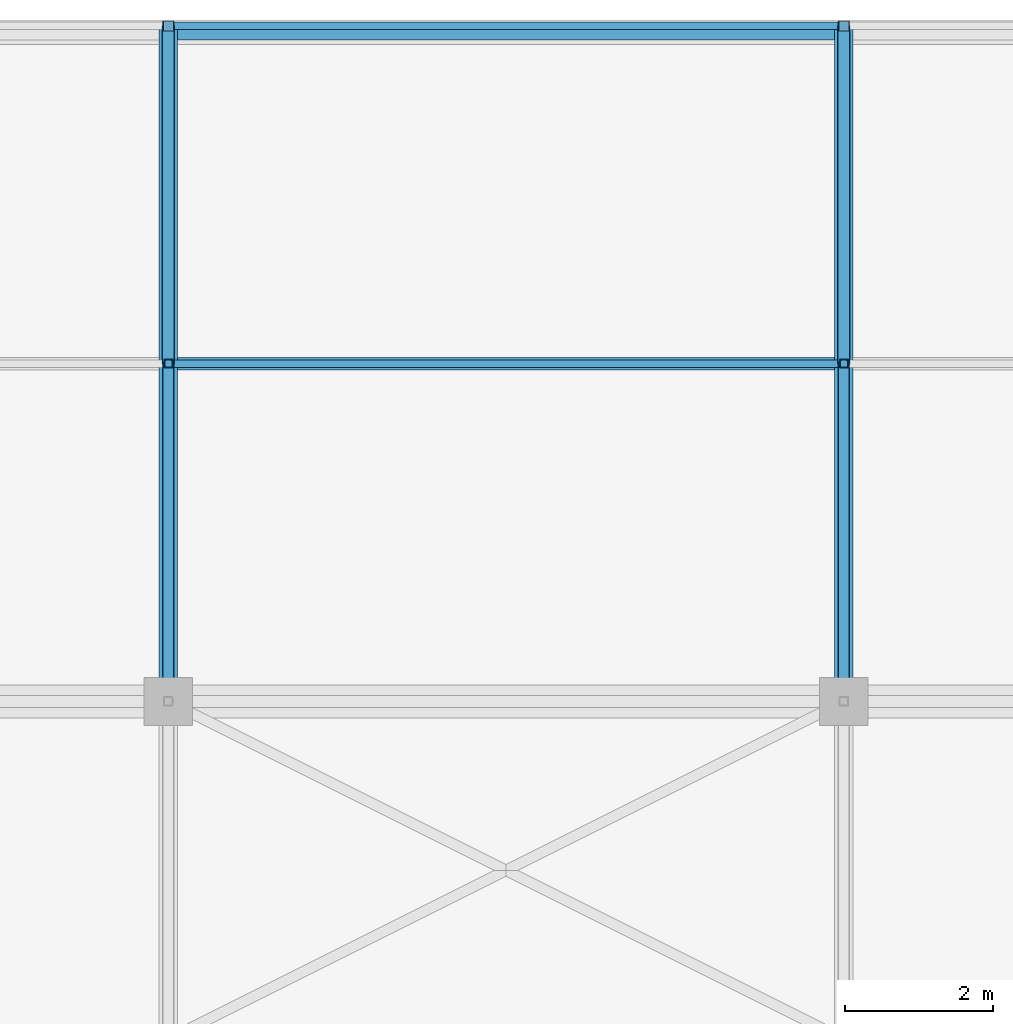
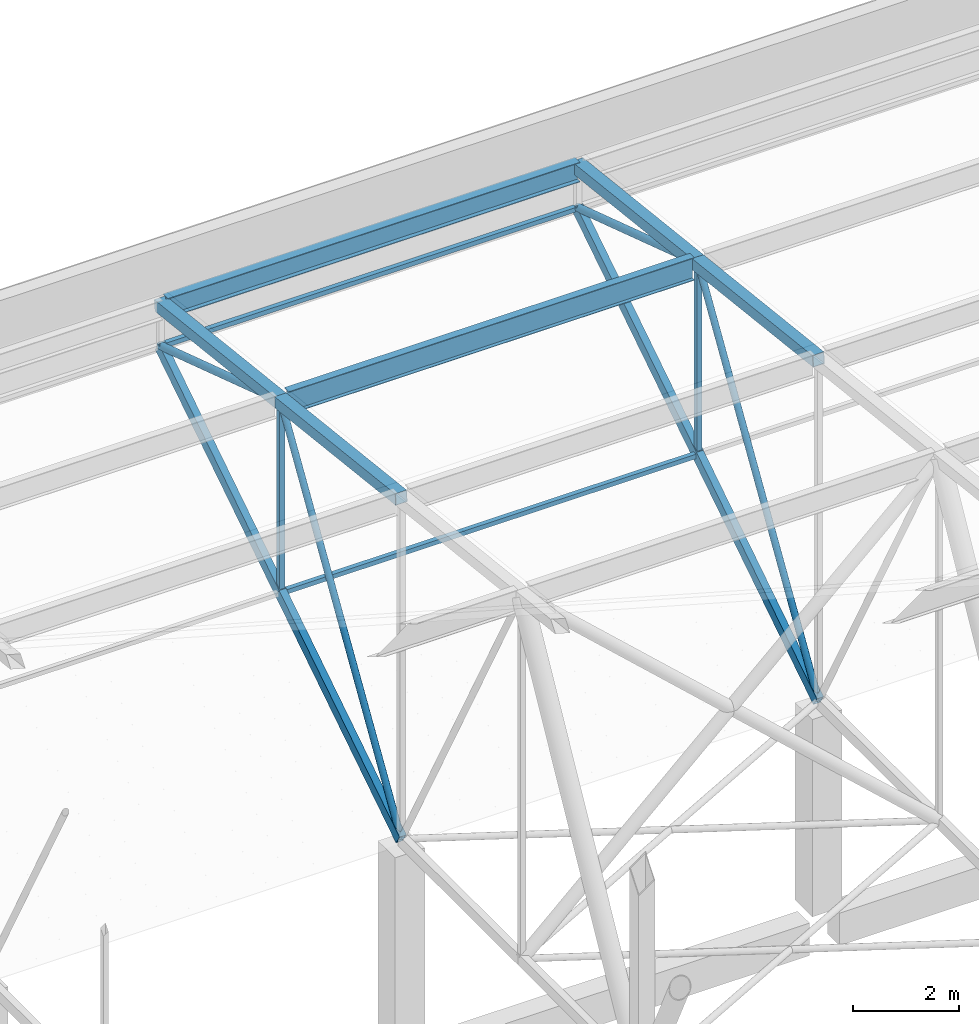
# One storey, part 320 of 500: 18 members.
"""IFC4 building model written with IfcOpenShell, lengths in metres."""

import ifcopenshell
import ifcopenshell.guid

model = None  # the IFC model being written
_history = None  # IfcOwnerHistory: only IFC2X3 demands one
_inside = {}  # id of a spatial element -> (the spatial element, [elements in it])
_under = {}  # id of a project, library or spatial element -> (it, [spatial elements below it])
_declared = {}  # id of a project -> (the project, [libraries it declares])
_typed = {}  # id of a type object -> (the type object, [elements of that type])
_made_of = {}  # id of a material, layer set ... -> (it, [elements and type objects made of it])


def new_model(schema):
    """Start an empty IFC model of exactly this schema.

    Asked for "IFC4X3", IfcOpenShell would pick the latest addendum, in which some entities
    have other attributes; the version numbers below select the first issue.
    IFC2X3 requires an IfcOwnerHistory on every rooted entity: one is made here for all.
    """
    global model, _history
    if schema == "IFC4X3":
        model = ifcopenshell.file(schema_version=(4, 3, 0, 0))
    else:
        model = ifcopenshell.file(schema=schema)
    _inside.clear()
    _under.clear()
    _declared.clear()
    _typed.clear()
    _made_of.clear()
    _history = None
    if model.schema == "IFC2X3":
        org = make("IfcOrganization", Name="unknown")
        user = make(
            "IfcPersonAndOrganization",
            ThePerson=make("IfcPerson", FamilyName="unknown"),
            TheOrganization=org,
        )
        app = make(
            "IfcApplication",
            ApplicationDeveloper=org,
            Version="unknown",
            ApplicationFullName="unknown",
            ApplicationIdentifier="unknown",
        )
        _history = make(
            "IfcOwnerHistory",
            OwningUser=user,
            OwningApplication=app,
            ChangeAction="ADDED",
            CreationDate=0,
        )
    return model


def make(cls, **values):
    """One entity of the class cls with the attributes given. An attribute that is None is left unset."""
    return model.create_entity(
        cls, **{name: value for name, value in values.items() if value is not None}
    )


def rooted(cls, **values):
    """An entity with a GlobalId (a new one), such as an element, a storey or a relation."""
    return make(cls, GlobalId=ifcopenshell.guid.new(), OwnerHistory=_history, **values)


def si_unit(unit_type, name, prefix=None):
    """IfcSIUnit, for example si_unit("LENGTHUNIT", "METRE", prefix="MILLI")."""
    return make("IfcSIUnit", UnitType=unit_type, Prefix=prefix, Name=name)


def assignment(units):
    """IfcUnitAssignment: the units of a project."""
    return None if units is None else make("IfcUnitAssignment", Units=units)


def point(xyz):
    """IfcCartesianPoint."""
    return None if xyz is None else make("IfcCartesianPoint", Coordinates=xyz)


def direction(xyz):
    """IfcDirection."""
    return None if xyz is None else make("IfcDirection", DirectionRatios=xyz)


def frame(location, z_axis=None, x_axis=None):
    """IfcAxis2Placement3D, a coordinate frame: its origin and axes. An axis left out is left unset."""
    return make(
        "IfcAxis2Placement3D",
        Location=point(location),
        Axis=direction(z_axis),
        RefDirection=direction(x_axis),
    )


def frame_2d(location, x_axis=None):
    """IfcAxis2Placement2D, a coordinate frame in the plane: its origin and x axis."""
    return make(
        "IfcAxis2Placement2D", Location=point(location), RefDirection=direction(x_axis)
    )


def origin():
    """The frame at (0, 0, 0) with its axes left unset."""
    return frame((0.0, 0.0, 0.0))


def origin_2d():
    """The frame at (0, 0) in the plane with its x axis left unset."""
    return frame_2d((0.0, 0.0))


def place(relative_to, where):
    """IfcLocalPlacement: puts the frame where relative to a parent placement (None: the world)."""
    return make(
        "IfcLocalPlacement", PlacementRelTo=relative_to, RelativePlacement=where
    )


def context(
    kind, dimensions, precision=None, world=None, true_north=None, identifier=None
):
    """IfcGeometricRepresentationContext, for example the 3D "Model" context."""
    return make(
        "IfcGeometricRepresentationContext",
        ContextIdentifier=identifier,
        ContextType=kind,
        CoordinateSpaceDimension=dimensions,
        Precision=precision,
        WorldCoordinateSystem=world,
        TrueNorth=true_north,
    )


def subcontext(parent, identifier, kind, view, scale=None):
    """IfcGeometricRepresentationSubContext, for example "Body" below "Model"."""
    return make(
        "IfcGeometricRepresentationSubContext",
        ContextIdentifier=identifier,
        ContextType=kind,
        ParentContext=parent,
        TargetScale=scale,
        TargetView=view,
    )


def project(units=None, contexts=None):
    """IfcProject with its units and contexts."""
    return rooted(
        "IfcProject",
        Name="project",
        RepresentationContexts=contexts,
        UnitsInContext=assignment(units),
    )


def spatial(cls, under=None, at=None, **own):
    """A site, building, storey or space (cls), placed at a placement, below another one or the project."""
    s = rooted(cls, ObjectPlacement=at, **own)
    if under is not None:
        _under.setdefault(under.id(), (under, []))[1].append(s)
    return s


def profile(cls, at=None, kind="AREA", **sizes):
    """A parametric profile (cls). Its sizes go by their IFC names, for example OverallWidth=200.0."""
    return make(cls, ProfileType=kind, Position=at, **sizes)


def hollow_rectangle(**sizes):
    """IfcRectangleHollowProfileDef."""
    return profile("IfcRectangleHollowProfileDef", **sizes)


def hollow_circle(**sizes):
    """IfcCircleHollowProfileDef."""
    return profile("IfcCircleHollowProfileDef", **sizes)


def i_section(**sizes):
    """IfcIShapeProfileDef."""
    return profile("IfcIShapeProfileDef", **sizes)


def extrude(swept, where, along, depth):
    """IfcExtrudedAreaSolid: the profile swept, set in the frame where, extruded along a direction by depth."""
    return make(
        "IfcExtrudedAreaSolid",
        SweptArea=swept,
        Position=where,
        ExtrudedDirection=direction(along),
        Depth=depth,
    )


def shape(context_of_items, identifier, shape_type, items):
    """IfcShapeRepresentation: the items that make up one representation, for example the "Body"."""
    return make(
        "IfcShapeRepresentation",
        ContextOfItems=context_of_items,
        RepresentationIdentifier=identifier,
        RepresentationType=shape_type,
        Items=items,
    )


def material(Name=None, Category=None):
    """IfcMaterial."""
    return make("IfcMaterial", Name=Name, Category=Category)


def material_profile(
    of_material, cross_section, Name=None, Category=None, Priority=None
):
    """IfcMaterialProfile: a cross section and its material."""
    return make(
        "IfcMaterialProfile",
        Name=Name,
        Material=of_material,
        Profile=cross_section,
        Priority=Priority,
        Category=Category,
    )


def profile_set(profiles, Name=None, composite=None):
    """IfcMaterialProfileSet."""
    return make(
        "IfcMaterialProfileSet",
        Name=Name,
        MaterialProfiles=profiles,
        CompositeProfile=composite,
    )


def made_of(thing, what):
    """Note that an element or type object is made of a material, layer set ...; save() writes the relation."""
    if what is not None:
        _made_of.setdefault(what.id(), (what, []))[1].append(thing)
    return thing


def type_object(cls, material=None, **own):
    """A type object (cls), such as IfcWallType, which elements share."""
    return made_of(rooted(cls, **own), material)


def element(
    cls,
    number,
    at=None,
    inside=None,
    cuts=None,
    type_object=None,
    material=None,
    context=None,
    identifier="Body",
    shape_type=None,
    held_by="IfcProductDefinitionShape",
    body=None,
    shapes=None,
    **own,
):
    """One element of the class cls, such as IfcWall. Its Tag is "e" and its number.

    at: its placement. inside: the storey or other place that contains it. cuts: it is an
    opening in that element (IfcRelVoidsElement). A single representation is given by context,
    identifier, shape_type and body (its items); several are given by shapes. held_by: the class
    of the entity that holds the representations. save() writes the other relations.
    """
    e = rooted(cls, Tag="e%d" % number, ObjectPlacement=at, **own)
    if body is not None:
        shapes = [shape(context, identifier, shape_type, body)]
    if shapes is not None:
        e.Representation = make(held_by, Representations=shapes)
    if inside is not None:
        _inside.setdefault(inside.id(), (inside, []))[1].append(e)
    if cuts is not None:
        rooted(
            "IfcRelVoidsElement", RelatingBuildingElement=cuts, RelatedOpeningElement=e
        )
    if type_object is not None:
        _typed.setdefault(type_object.id(), (type_object, []))[1].append(e)
    return made_of(e, material)


def aggregate(whole, parts):
    """IfcRelAggregates: a whole, such as a stair, and the parts it consists of."""
    return rooted("IfcRelAggregates", RelatingObject=whole, RelatedObjects=parts)


def save(model, path):
    """Write the relations noted so far, then the file.

    IfcRelAggregates (storeys below a building ...), IfcRelContainedInSpatialStructure (elements
    in a storey), IfcRelDefinesByType, IfcRelAssociatesMaterial and IfcRelDeclares: one each for
    every whole, place, type object, material and project.
    """
    for whole, parts in _under.values():
        aggregate(whole, parts)
    for where, things in _inside.values():
        rooted(
            "IfcRelContainedInSpatialStructure",
            RelatedElements=things,
            RelatingStructure=where,
        )
    for kind, things in _typed.values():
        rooted("IfcRelDefinesByType", RelatedObjects=things, RelatingType=kind)
    for what, things in _made_of.values():
        rooted("IfcRelAssociatesMaterial", RelatedObjects=things, RelatingMaterial=what)
    for by, libraries in _declared.values():
        rooted("IfcRelDeclares", RelatingContext=by, RelatedDefinitions=libraries)
    model.write(path)


model = new_model("IFC4")

# Units and contexts
model_context = context("Model", 3, precision=1e-05, world=origin(), true_north=direction((0.0, 1.0)))
body_context = subcontext(model_context, "Body", "Model", "MODEL_VIEW")
ifc_project = project(units=[si_unit("LENGTHUNIT", "METRE"), si_unit("AREAUNIT", "SQUARE_METRE"), si_unit("VOLUMEUNIT", "CUBIC_METRE"), si_unit("PLANEANGLEUNIT", "RADIAN"), si_unit("MASSUNIT", "GRAM", prefix="KILO")], contexts=[model_context])

# Site, building, storey
site_placement = place(None, origin())
site = spatial("IfcSite", under=ifc_project, at=site_placement, CompositionType="ELEMENT")
building_placement = place(site_placement, origin())
building = spatial("IfcBuilding", under=site, at=building_placement, Name="Shirokan Park Arena", CompositionType="ELEMENT")
storey_placement = place(building_placement, frame((0.0, 0.0, 29.1201171875)))
storey = spatial("IfcBuildingStorey", under=building, at=storey_placement, Name="L06", CompositionType="ELEMENT", Elevation=29.1201171875)

# Members
ifc_material_1 = material(Name="Steel ASTM A500 Grade C", Category="steel")
ifc_material_profile_1 = material_profile(ifc_material_1, hollow_rectangle(XDim=0.152099609375, YDim=0.25390625, WallThickness=0.009521484375, at=origin_2d()), Name="HSS254X152.4X9.5")
ifc_profile_set_1 = profile_set([ifc_material_profile_1], Name="Steel ASTM A500 Grade C")
member_type_1 = type_object("IfcMemberType", Name="Bottom chord HSS254X152.4X9.5", PredefinedType="CHORD", material=ifc_profile_set_1)
for number, where, z_axis, x_axis, name in (
    (1, (91.0, 109.199951171875, 4.677001953125), (0.0, 0.840971691661, 0.541079119746), (-1.0, 0.0, 0.0), "Truss T11 bottom chord 27"),
    (2, (91.0, 113.75, 7.6044921875), (0.0, 0.840971691661, 0.541079119746), (-1.0, 0.0, 0.0), "Truss T11 bottom chord 28"),
    (3, (100.10009765625, 109.199951171875, 4.677001953125), (0.0, 0.840971691661, 0.541079119746), (-1.0, 0.0, 0.0), "Truss T12 bottom chord 27"),
    (4, (100.10009765625, 113.75, 7.6044921875), (0.0, 0.840971691661, 0.541079119746), (-1.0, 0.0, 0.0), "Truss T12 bottom chord 28"),
):
    element("IfcMember", number, at=place(storey_placement, frame(where, z_axis=z_axis, x_axis=x_axis)), inside=storey, type_object=member_type_1, Name=name, PredefinedType="CHORD", context=body_context, shape_type="SweptSolid", body=[
        extrude(hollow_rectangle(XDim=0.152099609375, YDim=0.25390625, WallThickness=0.009521484375, at=origin_2d()), origin(), (0.0, 0.0, 1.0), 5.410400390625),
    ])
ifc_material_profile_2 = material_profile(ifc_material_1, hollow_rectangle(XDim=0.10205078125, YDim=0.10205078125, WallThickness=0.00634765625, at=origin_2d()), Name="HSS101.6X101.6X6.4")
ifc_profile_set_2 = profile_set([ifc_material_profile_2], Name="Steel ASTM A500 Grade C")
member_type_2 = type_object("IfcMemberType", Name="Eave soffit rail HSS101.6X101.6X6.4", PredefinedType="USERDEFINED", material=ifc_profile_set_2)
for number, where, z_axis, x_axis, name in (
    (5, (91.056884765625, 118.300048828125, 10.531982421875), (1.0, 0.0, 0.0), (0.0, 1.0, 0.0), "Eave soffit rail N 29 bay 11"),
    (6, (91.056884765625, 113.75, 7.6044921875), (1.0, 0.0, 0.0), (0.0, 1.0, 0.0), "Eave soffit rail N 28 bay 11"),
):
    element("IfcMember", number, at=place(storey_placement, frame(where, z_axis=z_axis, x_axis=x_axis)), inside=storey, type_object=member_type_2, Name=name, ObjectType="EAVE SOFFIT RAIL", PredefinedType="USERDEFINED", context=body_context, shape_type="SweptSolid", body=[
        extrude(hollow_rectangle(XDim=0.10205078125, YDim=0.10205078125, WallThickness=0.00634765625, at=origin_2d()), origin(), (0.0, 0.0, 1.0), 8.986083984375),
    ])
ifc_material_2 = material(Name="Steel ASTM A992", Category="steel")
ifc_material_profile_3 = material_profile(ifc_material_2, i_section(OverallWidth=0.166015625, OverallDepth=0.528076171875, WebThickness=0.009765625, FlangeThickness=0.013671875, at=origin_2d()), Name="W530X74")
ifc_profile_set_3 = profile_set([ifc_material_profile_3], Name="Steel ASTM A992")
member_type_3 = type_object("IfcMemberType", Name="Purlin W530X74", PredefinedType="PURLIN", material=ifc_profile_set_3)
member_1_placement = place(storey_placement, frame((91.126953125, 113.75, 11.9658203125), z_axis=(1.0, 0.0, 0.0), x_axis=(0.0, 1.0, 0.0)))
element("IfcMember", 7, at=member_1_placement, inside=storey, type_object=member_type_3, Name="Purlin 28 bay 11", PredefinedType="PURLIN", context=body_context, shape_type="SweptSolid", body=[
    extrude(i_section(OverallWidth=0.166015625, OverallDepth=0.528076171875, WebThickness=0.009765625, FlangeThickness=0.013671875, at=origin_2d()), origin(), (0.0, 0.0, 1.0), 8.845947265625),
])
ifc_material_profile_4 = material_profile(ifc_material_2, i_section(OverallWidth=0.19091796875, OverallDepth=0.45703125, WebThickness=0.009033203125, FlangeThickness=0.014404296875, at=origin_2d()), Name="W460X74")
ifc_profile_set_4 = profile_set([ifc_material_profile_4], Name="Steel ASTM A992")
member_type_4 = type_object("IfcMemberType", Name="Roof edge beam W460X74", PredefinedType="USERDEFINED", material=ifc_profile_set_4)
member_2_placement = place(storey_placement, frame((91.056884765625, 118.20458984375, 11.4814453125), z_axis=(1.0, 0.0, 0.0), x_axis=(0.0, 1.0, 0.0)))
element("IfcMember", 8, at=member_2_placement, inside=storey, type_object=member_type_4, Name="Roof edge beam N 12", ObjectType="ROOF EDGE BEAM", PredefinedType="USERDEFINED", context=body_context, shape_type="SweptSolid", body=[
    extrude(i_section(OverallWidth=0.19091796875, OverallDepth=0.45703125, WebThickness=0.009033203125, FlangeThickness=0.014404296875, at=origin_2d()), origin(), (0.0, 0.0, 1.0), 8.986083984375),
])
ifc_material_profile_5 = material_profile(ifc_material_1, hollow_rectangle(XDim=0.25390625, YDim=0.25390625, WallThickness=0.009521484375, at=origin_2d()), Name="HSS254X254X9.5")
ifc_profile_set_5 = profile_set([ifc_material_profile_5], Name="Steel ASTM A500 Grade C")
member_type_5 = type_object("IfcMemberType", Name="Top chord HSS254X254X9.5", PredefinedType="CHORD", material=ifc_profile_set_5)
for number, where, z_axis, x_axis, name in (
    (9, (91.0, 109.199951171875, 12.54150390625), (0.0, 0.993532328996, -0.113549598152), (-1.0, 0.0, 0.0), "Truss T11 top chord 27"),
    (10, (91.0, 113.75, 12.021484375), (0.0, 0.993532328996, -0.113549598152), (-1.0, 0.0, 0.0), "Truss T11 top chord 28"),
    (11, (100.10009765625, 109.199951171875, 12.54150390625), (0.0, 0.993532328996, -0.113549598152), (-1.0, 0.0, 0.0), "Truss T12 top chord 27"),
    (12, (100.10009765625, 113.75, 12.021484375), (0.0, 0.993532328996, -0.113549598152), (-1.0, 0.0, 0.0), "Truss T12 top chord 28"),
):
    element("IfcMember", number, at=place(storey_placement, frame(where, z_axis=z_axis, x_axis=x_axis)), inside=storey, type_object=member_type_5, Name=name, PredefinedType="CHORD", context=body_context, shape_type="SweptSolid", body=[
        extrude(hollow_rectangle(XDim=0.25390625, YDim=0.25390625, WallThickness=0.009521484375, at=origin_2d()), origin(), (0.0, 0.0, 1.0), 4.57958984375),
    ])
ifc_material_profile_6 = material_profile(ifc_material_1, hollow_circle(Radius=0.070556640625, WallThickness=0.006591796875, at=origin_2d()), Name="HSS141.3X6.6")
ifc_profile_set_6 = profile_set([ifc_material_profile_6], Name="Steel ASTM A500 Grade C")
member_type_6 = type_object("IfcMemberType", Name="Truss diagonal HSS141.3X6.6", PredefinedType="BRACE", material=ifc_profile_set_6)
for number, where, z_axis, x_axis, name in (
    (13, (91.0, 109.199951171875, 4.677001953125), (0.0, 0.526644483383, 0.850085635758), (-1.0, 0.0, 0.0), "Truss T11 diagonal 27"),
    (14, (100.10009765625, 109.199951171875, 4.677001953125), (0.0, 0.526644483383, 0.850085635758), (-1.0, 0.0, 0.0), "Truss T12 diagonal 27"),
):
    element("IfcMember", number, at=place(storey_placement, frame(where, z_axis=z_axis, x_axis=x_axis)), inside=storey, type_object=member_type_6, Name=name, PredefinedType="BRACE", context=body_context, shape_type="SweptSolid", body=[
        extrude(hollow_circle(Radius=0.070556640625, WallThickness=0.006591796875, at=origin_2d()), origin(), (0.0, 0.0, 1.0), 8.6396484375),
    ])
ifc_material_profile_7 = material_profile(ifc_material_1, hollow_circle(Radius=0.083984375, WallThickness=0.009521484375, at=origin_2d()), Name="HSS168.3X9.5")
ifc_profile_set_7 = profile_set([ifc_material_profile_7], Name="Steel ASTM A500 Grade C")
member_type_7 = type_object("IfcMemberType", Name="Truss diagonal HSS168.3X9.5", PredefinedType="BRACE", material=ifc_profile_set_7)
for number, where, z_axis, x_axis, name in (
    (15, (91.0, 113.75, 12.021484375), (0.0, 0.950372733116, -0.311113593644), (-1.0, 0.0, 0.0), "Truss T11 diagonal 28"),
    (16, (100.10009765625, 113.75, 12.021484375), (0.0, 0.950372733116, -0.311113593644), (-1.0, 0.0, 0.0), "Truss T12 diagonal 28"),
):
    element("IfcMember", number, at=place(storey_placement, frame(where, z_axis=z_axis, x_axis=x_axis)), inside=storey, type_object=member_type_7, Name=name, PredefinedType="BRACE", context=body_context, shape_type="SweptSolid", body=[
        extrude(hollow_circle(Radius=0.083984375, WallThickness=0.009521484375, at=origin_2d()), origin(), (0.0, 0.0, 1.0), 4.78759765625),
    ])
ifc_material_profile_8 = material_profile(ifc_material_1, hollow_rectangle(XDim=0.114013671875, YDim=0.114013671875, WallThickness=0.00634765625, at=origin_2d()), Name="HSS114.3X114.3X6.4")
ifc_profile_set_8 = profile_set([ifc_material_profile_8], Name="Steel ASTM A500 Grade C")
member_type_8 = type_object("IfcMemberType", Name="Truss post HSS114.3X114.3X6.4", PredefinedType="POST", material=ifc_profile_set_8)
for number, where, z_axis, x_axis, name in (
    (17, (91.0, 113.75, 7.6044921875), (0.0, 0.0, 1.0), (1.0, 0.0, 0.0), "Truss T11 post 28"),
    (18, (100.10009765625, 113.75, 7.6044921875), (0.0, 0.0, 1.0), (1.0, 0.0, 0.0), "Truss T12 post 28"),
):
    element("IfcMember", number, at=place(storey_placement, frame(where, z_axis=z_axis, x_axis=x_axis)), inside=storey, type_object=member_type_8, Name=name, PredefinedType="POST", context=body_context, shape_type="SweptSolid", body=[
        extrude(hollow_rectangle(XDim=0.114013671875, YDim=0.114013671875, WallThickness=0.00634765625, at=origin_2d()), origin(), (0.0, 0.0, 1.0), 4.4169921875),
    ])

save(model, "model.ifc")
